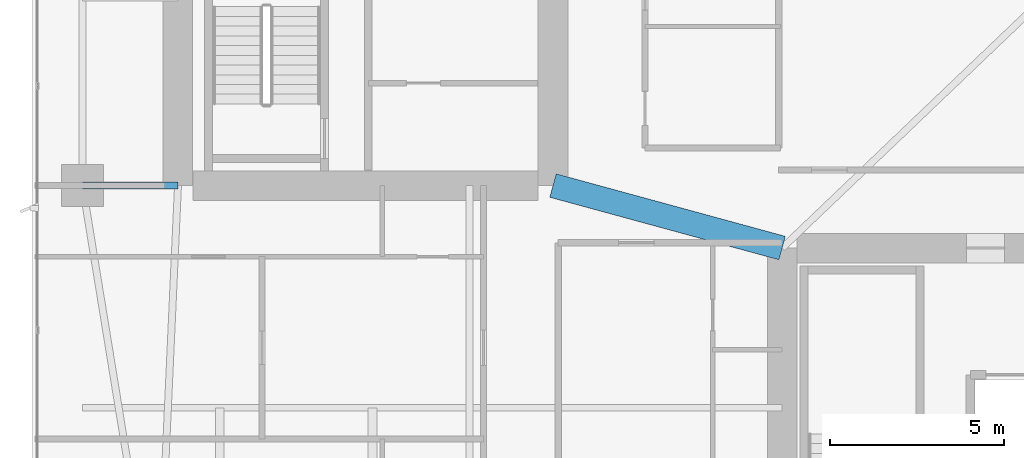
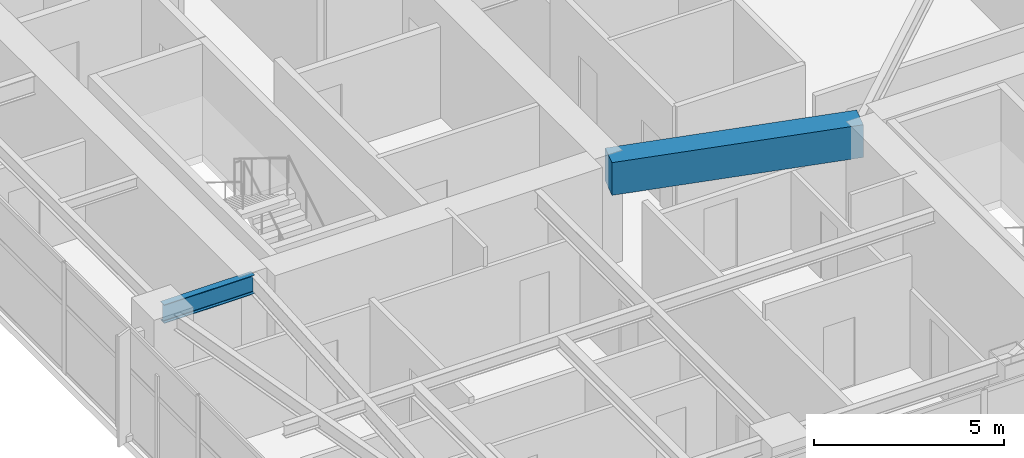
# One storey, part 7 of 29: 2 beams.
"""IFC4 building model written with IfcOpenShell, lengths in metres."""

from ifc_helpers import new_model, si_unit, direction, frame, origin, origin_2d, place, context, subcontext, project, spatial, rectangle, i_section, extrude, material, material_profile, profile_set, type_object, element, save


model = new_model("IFC4")

# Units and contexts
model_context = context("Model", 3, precision=1e-05, world=origin(), true_north=direction((0.0, 1.0)))
body_context = subcontext(model_context, "Body", "Model", "MODEL_VIEW")
ifc_project = project(units=[si_unit("LENGTHUNIT", "METRE"), si_unit("AREAUNIT", "SQUARE_METRE"), si_unit("VOLUMEUNIT", "CUBIC_METRE"), si_unit("PLANEANGLEUNIT", "RADIAN"), si_unit("MASSUNIT", "GRAM", prefix="KILO")], contexts=[model_context])

# Site, building, storey
site_placement = place(None, origin())
site = spatial("IfcSite", under=ifc_project, at=site_placement, CompositionType="ELEMENT")
building_placement = place(site_placement, origin())
building = spatial("IfcBuilding", under=site, at=building_placement, Name="Calvorn Quay Hotel", CompositionType="ELEMENT")
storey_placement = place(building_placement, frame((0.0, 0.0, 163.699951171875)))
storey = spatial("IfcBuildingStorey", under=building, at=storey_placement, Name="L40", CompositionType="ELEMENT", Elevation=163.699951171875)

# Beams
ifc_material_1 = material(Name="Steel Q355B", Category="steel")
ifc_material_profile_1 = material_profile(ifc_material_1, i_section(OverallWidth=0.199951171875, OverallDepth=0.60009765625, WebThickness=0.010986328125, FlangeThickness=0.01708984375, FilletRadius=0.01806640625, at=origin_2d()), Name="HN600x200x11x17")
ifc_profile_set_1 = profile_set([ifc_material_profile_1], Name="Steel Q355B")
beam_type_1 = type_object("IfcBeamType", Name="BM-GIRD-TYP", PredefinedType="BEAM", material=ifc_profile_set_1)
beam_1_placement = place(storey_placement, frame((1.449951171875, 16.800048828125, 3.239990234375), z_axis=(1.0, 0.0, 0.0), x_axis=(0.0, 1.0, 0.0)))
element("IfcBeam", 1, at=beam_1_placement, inside=storey, type_object=beam_type_1, Name="Beam BG-L40-W1", PredefinedType="BEAM", context=body_context, shape_type="SweptSolid", body=[
    extrude(i_section(OverallWidth=0.199951171875, OverallDepth=0.60009765625, WebThickness=0.010986328125, FlangeThickness=0.01708984375, FilletRadius=0.01806640625, at=origin_2d()), origin(), (0.0, 0.0, 1.0), 2.75),
])
ifc_material_2 = material(Name="Concrete C50", Category="concrete")
ifc_material_profile_2 = material_profile(ifc_material_2, rectangle(XDim=0.699951171875, YDim=1.050048828125, at=origin_2d()), Name="RCB700x1050")
ifc_profile_set_2 = profile_set([ifc_material_profile_2], Name="Concrete C50")
beam_type_2 = type_object("IfcBeamType", Name="BM-RC-LINK-700x1050", PredefinedType="BEAM", material=ifc_profile_set_2)
beam_2_placement = place(storey_placement, frame((15.0, 16.800048828125, 3.01513671875), z_axis=(0.964762997686, -0.263120425462, 0.0), x_axis=(0.263120425462, 0.964762997686, 0.0)))
element("IfcBeam", 2, at=beam_2_placement, inside=storey, type_object=beam_type_2, Name="Beam BCL-L40-01", PredefinedType="BEAM", context=body_context, shape_type="SweptSolid", body=[
    extrude(rectangle(XDim=0.699951171875, YDim=1.050048828125, at=origin_2d()), origin(), (0.0, 0.0, 1.0), 6.841064453125),
])

save(model, "model.ifc")
